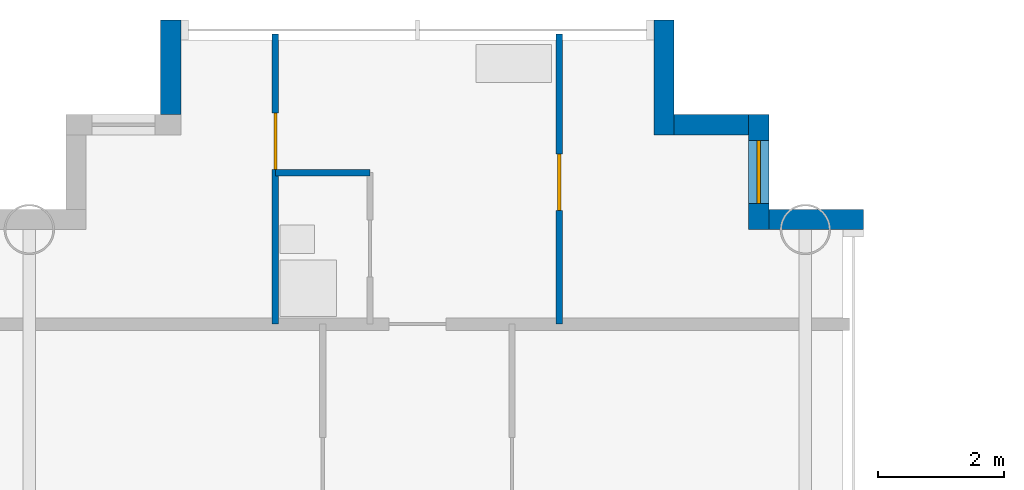
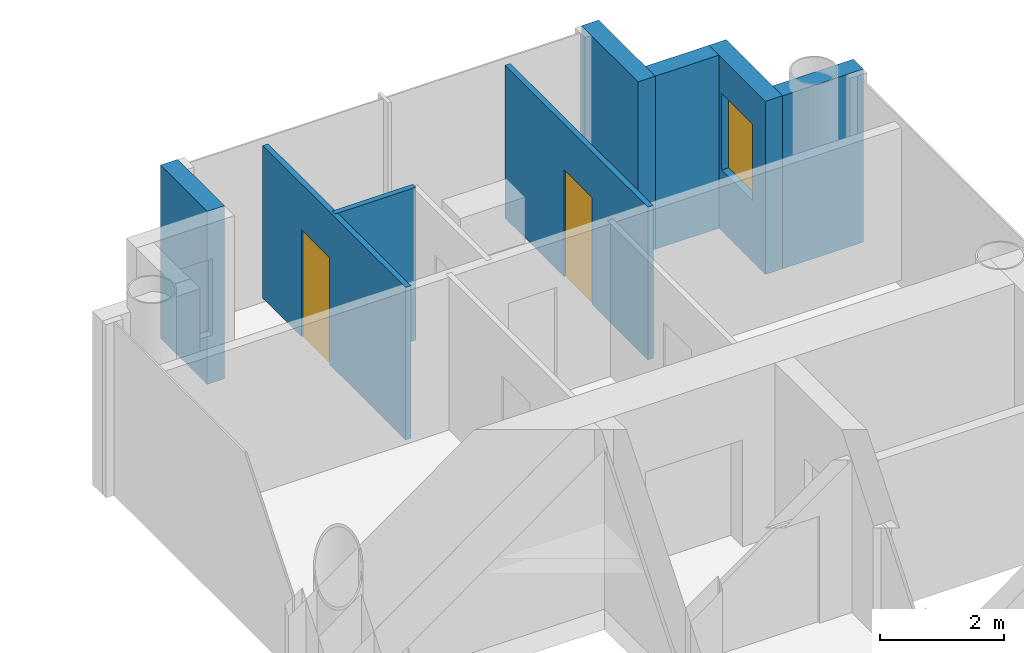
# One storey, part 13 of 20: 8 walls, 2 doors, 1 window, 3 openings.
"""IFC4 building model written with IfcOpenShell, lengths in metres."""

from ifc_helpers import new_model, si_unit, direction, frame, frame_2d, origin, place, context, subcontext, project, spatial, rectangle, extrude, material, layer, layer_set, type_object, element, fill, save


model = new_model("IFC4")

# Units and contexts
model_context = context("Model", 3, precision=1e-05, world=origin(), true_north=direction((0.0, 1.0)))
body_context = subcontext(model_context, "Body", "Model", "MODEL_VIEW")
ifc_project = project(units=[si_unit("LENGTHUNIT", "METRE"), si_unit("AREAUNIT", "SQUARE_METRE"), si_unit("VOLUMEUNIT", "CUBIC_METRE"), si_unit("PLANEANGLEUNIT", "RADIAN"), si_unit("MASSUNIT", "GRAM", prefix="KILO")], contexts=[model_context])

# Site, building, storey
site_placement = place(None, origin())
site = spatial("IfcSite", under=ifc_project, at=site_placement, CompositionType="ELEMENT")
building_placement = place(site_placement, origin())
building = spatial("IfcBuilding", under=site, at=building_placement, Name="Ipe Terrace Towers", CompositionType="ELEMENT")
storey_placement = place(building_placement, frame((0.0, 0.0, 160.89990234375)))
storey = spatial("IfcBuildingStorey", under=building, at=storey_placement, Name="L44", CompositionType="ELEMENT", Elevation=160.89990234375)

# Wall
ifc_material_1 = material(Name="Concrete C40/50 with buff precast cladding", Category="concrete")
ifc_layer_1 = layer(ifc_material_1, 0.320068359375)
ifc_layer_set_1 = layer_set([ifc_layer_1], Name="BUFF CLADDING WALL 320")
wall_type_1 = type_object("IfcWallType", Name="BUFF CLADDING WALL 320", PredefinedType="STANDARD", material=ifc_layer_set_1)
wall_1_placement = place(storey_placement, frame((43.070068359375, 21.909912109375, -0.2998046875), z_axis=(0.0, 0.0, 1.0), x_axis=(-1.0, 0.0, 0.0)))
element("IfcWall", 1, at=wall_1_placement, inside=storey, type_object=wall_type_1, Name="T2-W-L44-17a wall", PredefinedType="STANDARD", context=body_context, shape_type="SweptSolid", body=[
    extrude(rectangle(XDim=1.5, YDim=0.320068359375, at=frame_2d((0.75, 0.0))), origin(), (0.0, 0.0, 1.0), 3.39990234375),
])

# Wall, opening, window
wall_2_placement = place(storey_placement, frame((41.409912109375, 21.75, -0.2998046875), z_axis=(0.0, 0.0, 1.0), x_axis=(0.0, 1.0, 0.0)))
wall_2 = element("IfcWall", 2, at=wall_2_placement, inside=storey, type_object=wall_type_1, Name="T2-W-L44-18a wall", PredefinedType="STANDARD", context=body_context, shape_type="SweptSolid", body=[
    extrude(rectangle(XDim=1.820068359375, YDim=0.320068359375, at=frame_2d((0.91015625, 0.0))), origin(), (0.0, 0.0, 1.0), 3.39990234375),
])
opening_1_placement = place(wall_2_placement, frame((0.409912109375, 0.0, 1.199951171875)))
opening_1 = element("IfcOpeningElement", 3, at=opening_1_placement, cuts=wall_2, Name="Opening T2-W-05-L44-04", PredefinedType="OPENING", context=body_context, shape_type="SweptSolid", body=[
    extrude(rectangle(XDim=1.0, YDim=1.5, at=frame_2d((0.5, 0.75))), frame((0.0, 0.169921875, 0.0), z_axis=(0.0, -1.0, 0.0), x_axis=(1.0, 0.0, 0.0)), (0.0, 0.0, 1.0), 0.340087890625),
])
ifc_material_2 = material(Name="Glass, clear laminated", Category="glass")
window_type = type_object("IfcWindowType", Name="DWELLING WINDOW 1000 x 1500", PartitioningType="SINGLE_PANEL", PredefinedType="WINDOW", material=ifc_material_2)
window_placement = place(opening_1_placement, origin())
window = element("IfcWindow", 4, at=window_placement, inside=storey, type_object=window_type, Name="W-05 window", OverallHeight=1.5, OverallWidth=1.0, PartitioningType="SINGLE_PANEL", PredefinedType="WINDOW", context=body_context, shape_type="SweptSolid", body=[
    extrude(rectangle(XDim=1.0, YDim=1.5, at=frame_2d((0.5, 0.75))), frame((0.0, 0.030029296875, 0.0), z_axis=(0.0, -1.0, 0.0), x_axis=(1.0, 0.0, 0.0)), (0.0, 0.0, 1.0), 0.06005859375),
])
fill(opening_1, window)

# Walls
wall_3_placement = place(storey_placement, frame((41.25, 23.409912109375, -0.2998046875), z_axis=(0.0, 0.0, 1.0), x_axis=(-1.0, 0.0, 0.0)))
element("IfcWall", 5, at=wall_3_placement, inside=storey, type_object=wall_type_1, Name="T2-W-L44-19a wall", PredefinedType="STANDARD", context=body_context, shape_type="SweptSolid", body=[
    extrude(rectangle(XDim=1.179931640625, YDim=0.320068359375, at=frame_2d((0.58984375, 0.0))), origin(), (0.0, 0.0, 1.0), 3.39990234375),
])
wall_4_placement = place(storey_placement, frame((39.909912109375, 23.25, -0.2998046875), z_axis=(0.0, 0.0, 1.0), x_axis=(0.0, 1.0, 0.0)))
element("IfcWall", 6, at=wall_4_placement, inside=storey, type_object=wall_type_1, Name="T2-W-L44-20a wall", PredefinedType="STANDARD", context=body_context, shape_type="SweptSolid", body=[
    extrude(rectangle(XDim=1.820068359375, YDim=0.320068359375, at=frame_2d((0.91015625, 0.0))), origin(), (0.0, 0.0, 1.0), 3.39990234375),
])
wall_5_placement = place(storey_placement, frame((32.090087890625, 25.070068359375, -0.2998046875), z_axis=(0.0, 0.0, 1.0), x_axis=(0.0, -1.0, 0.0)))
element("IfcWall", 7, at=wall_5_placement, inside=storey, type_object=wall_type_1, Name="T2-W-L44-22a wall", PredefinedType="STANDARD", context=body_context, shape_type="SweptSolid", body=[
    extrude(rectangle(XDim=1.5, YDim=0.320068359375, at=frame_2d((0.75, 0.0))), origin(), (0.0, 0.0, 1.0), 3.39990234375),
])
ifc_material_3 = material(Name="Gypsum board partition", Category="plasterboard")
ifc_layer_2 = layer(ifc_material_3, 0.10009765625)
ifc_layer_set_2 = layer_set([ifc_layer_2], Name="Gypsum board partition 100 mm")
wall_type_2 = type_object("IfcWallType", Name="Gypsum board partition 100 mm", PredefinedType="PARTITIONING", material=ifc_layer_set_2)
wall_6_placement = place(storey_placement, frame((35.25, 22.64990234375, 0.0), z_axis=(0.0, 0.0, 1.0), x_axis=(-1.0, 0.0, 0.0)))
element("IfcWall", 8, at=wall_6_placement, inside=storey, type_object=wall_type_2, Name="Gypsum board partition T2 L44 W21", PredefinedType="PARTITIONING", context=body_context, shape_type="SweptSolid", body=[
    extrude(rectangle(XDim=1.5, YDim=0.10009765625, at=frame_2d((0.75, 0.0))), origin(), (0.0, 0.0, 1.0), 3.0),
])

# Wall, opening, door
wall_7_placement = place(storey_placement, frame((38.25, 20.25, 0.0), z_axis=(0.0, 0.0, 1.0), x_axis=(0.0, 1.0, 0.0)))
wall_7 = element("IfcWall", 9, at=wall_7_placement, inside=storey, type_object=wall_type_2, Name="Gypsum board partition T2 L44 W29", PredefinedType="PARTITIONING", context=body_context, shape_type="SweptSolid", body=[
    extrude(rectangle(XDim=4.60009765625, YDim=0.10009765625, at=frame_2d((2.300048828125, 0.0))), origin(), (0.0, 0.0, 1.0), 3.0),
])
opening_2_placement = place(wall_7_placement, frame((1.800048828125, 0.0, 0.0)))
opening_2 = element("IfcOpeningElement", 10, at=opening_2_placement, cuts=wall_7, Name="Opening T2-Z3C-28", PredefinedType="OPENING", context=body_context, shape_type="SweptSolid", body=[
    extrude(rectangle(XDim=0.89990234375, YDim=2.10009765625, at=frame_2d((0.449951171875, 1.050048828125))), frame((0.0, 0.06005859375, 0.0), z_axis=(0.0, -1.0, 0.0), x_axis=(1.0, 0.0, 0.0)), (0.0, 0.0, 1.0), 0.1201171875),
])
ifc_material_4 = material(Name="Timber door leaf", Category="wood")
door_type = type_object("IfcDoorType", Name="Bedroom door 900 x 2100", OperationType="NOTDEFINED", PredefinedType="DOOR", material=ifc_material_4)
door_1_placement = place(opening_2_placement, origin())
door_1 = element("IfcDoor", 11, at=door_1_placement, inside=storey, type_object=door_type, Name="Bedroom door T2-Z3C-28", OperationType="SINGLE_SWING_LEFT", OverallHeight=2.10009765625, OverallWidth=0.89990234375, PredefinedType="DOOR", context=body_context, shape_type="SweptSolid", body=[
    extrude(rectangle(XDim=0.89990234375, YDim=2.10009765625, at=frame_2d((0.449951171875, 1.050048828125))), frame((0.0, 0.02490234375, 0.0), z_axis=(0.0, -1.0, 0.0), x_axis=(1.0, 0.0, 0.0)), (0.0, 0.0, 1.0), 0.050048828125),
])
fill(opening_2, door_1)

wall_8_placement = place(storey_placement, frame((33.75, 20.25, 0.0), z_axis=(0.0, 0.0, 1.0), x_axis=(0.0, 1.0, 0.0)))
wall_8 = element("IfcWall", 12, at=wall_8_placement, inside=storey, type_object=wall_type_2, Name="Gypsum board partition T2 L44 W37", PredefinedType="PARTITIONING", context=body_context, shape_type="SweptSolid", body=[
    extrude(rectangle(XDim=4.60009765625, YDim=0.10009765625, at=frame_2d((2.300048828125, 0.0))), origin(), (0.0, 0.0, 1.0), 3.0),
])
opening_3_placement = place(wall_8_placement, frame((2.449951171875, 0.0, 0.0)))
opening_3 = element("IfcOpeningElement", 13, at=opening_3_placement, cuts=wall_8, Name="Opening T2-Z3C-27", PredefinedType="OPENING", context=body_context, shape_type="SweptSolid", body=[
    extrude(rectangle(XDim=0.89990234375, YDim=2.10009765625, at=frame_2d((0.449951171875, 1.050048828125))), frame((0.0, 0.06005859375, 0.0), z_axis=(0.0, -1.0, 0.0), x_axis=(1.0, 0.0, 0.0)), (0.0, 0.0, 1.0), 0.1201171875),
])
door_2_placement = place(opening_3_placement, origin())
door_2 = element("IfcDoor", 14, at=door_2_placement, inside=storey, type_object=door_type, Name="Bedroom door T2-Z3C-27", OperationType="SINGLE_SWING_LEFT", OverallHeight=2.10009765625, OverallWidth=0.89990234375, PredefinedType="DOOR", context=body_context, shape_type="SweptSolid", body=[
    extrude(rectangle(XDim=0.89990234375, YDim=2.10009765625, at=frame_2d((0.449951171875, 1.050048828125))), frame((0.0, 0.02490234375, 0.0), z_axis=(0.0, -1.0, 0.0), x_axis=(1.0, 0.0, 0.0)), (0.0, 0.0, 1.0), 0.050048828125),
])
fill(opening_3, door_2)

save(model, "model.ifc")
